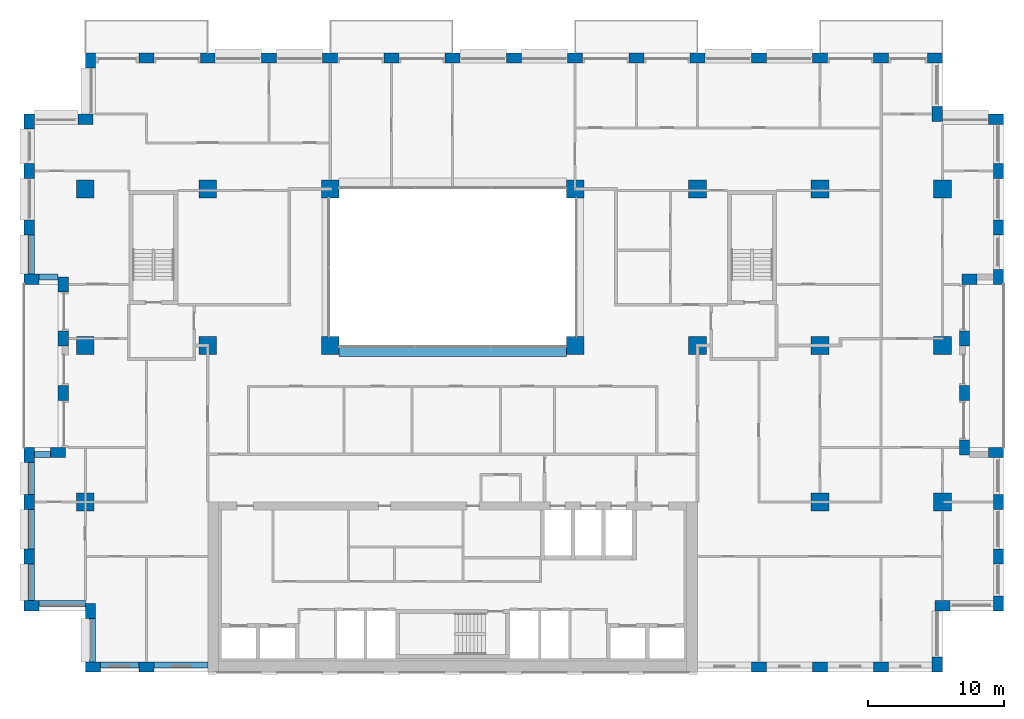
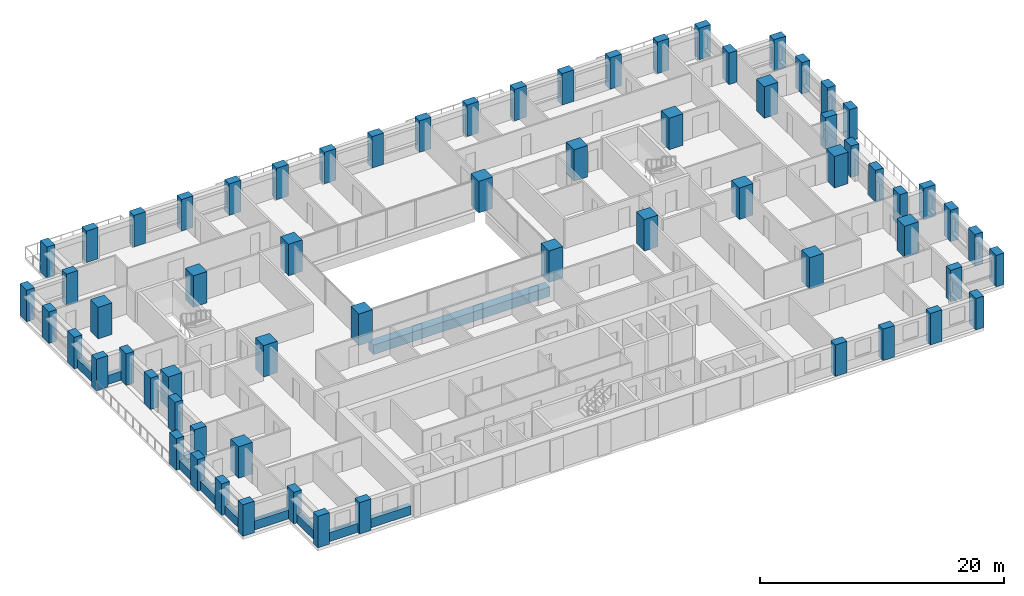
# One storey, part 1 of 16: 66 columns, 11 beams.
"""IFC4 building model written with IfcOpenShell, lengths in metres."""

from ifc_helpers import new_model, si_unit, direction, frame, origin, origin_2d, place, context, subcontext, project, spatial, rectangle, extrude, material, material_profile, profile_set, type_object, element, save


model = new_model("IFC4")

# Units and contexts
model_context = context("Model", 3, precision=1e-05, world=origin(), true_north=direction((0.0, 1.0)))
body_context = subcontext(model_context, "Body", "Model", "MODEL_VIEW")
ifc_project = project(units=[si_unit("LENGTHUNIT", "METRE"), si_unit("AREAUNIT", "SQUARE_METRE"), si_unit("VOLUMEUNIT", "CUBIC_METRE"), si_unit("PLANEANGLEUNIT", "RADIAN"), si_unit("MASSUNIT", "GRAM", prefix="KILO")], contexts=[model_context])

# Site, building, storey
site_placement = place(None, origin())
site = spatial("IfcSite", under=ifc_project, at=site_placement, CompositionType="ELEMENT")
building_placement = place(site_placement, origin())
building = spatial("IfcBuilding", under=site, at=building_placement, Name="Brigalow Station Residences", CompositionType="ELEMENT")
storey_placement = place(building_placement, frame((0.0, 0.0, 121.35009765625)))
storey = spatial("IfcBuildingStorey", under=building, at=storey_placement, Name="L35", CompositionType="ELEMENT", Elevation=121.35009765625)

# Columns
ifc_material_1 = material(Name="Concrete C65", Category="concrete")
ifc_material_profile_1 = material_profile(ifc_material_1, rectangle(XDim=1.300048828125, YDim=1.300048828125, at=origin_2d()), Name="RC1300x1300")
ifc_profile_set_1 = profile_set([ifc_material_profile_1], Name="Concrete C65")
column_type_1 = type_object("IfcColumnType", Name="COLUMN 1300x1300 C65", PredefinedType="COLUMN", material=ifc_profile_set_1)
for number, where, z_axis, x_axis, name in (
    (1, (9.0, 24.0, 0.0), (0.0, 0.0, 1.0), (1.0, 0.0, 0.0), "COLUMN C1 L35"),
    (2, (18.0, 24.0, 0.0), (0.0, 0.0, 1.0), (1.0, 0.0, 0.0), "COLUMN C2 L35"),
    (3, (27.0, 24.0, 0.0), (0.0, 0.0, 1.0), (1.0, 0.0, 0.0), "COLUMN C3 L35"),
    (4, (45.0, 24.0, 0.0), (0.0, 0.0, 1.0), (1.0, 0.0, 0.0), "COLUMN C5 L35"),
    (5, (54.0, 24.0, 0.0), (0.0, 0.0, 1.0), (1.0, 0.0, 0.0), "COLUMN C6 L35"),
    (6, (63.0, 24.0, 0.0), (0.0, 0.0, 1.0), (1.0, 0.0, 0.0), "COLUMN C7 L35"),
    (7, (72.0, 24.0, 0.0), (0.0, 0.0, 1.0), (1.0, 0.0, 0.0), "COLUMN C8 L35"),
    (8, (9.0, 35.5, 0.0), (0.0, 0.0, 1.0), (1.0, 0.0, 0.0), "COLUMN D1 L35"),
    (9, (18.0, 35.5, 0.0), (0.0, 0.0, 1.0), (1.0, 0.0, 0.0), "COLUMN D2 L35"),
    (10, (27.0, 35.5, 0.0), (0.0, 0.0, 1.0), (1.0, 0.0, 0.0), "COLUMN D3 L35"),
    (11, (45.0, 35.5, 0.0), (0.0, 0.0, 1.0), (1.0, 0.0, 0.0), "COLUMN D5 L35"),
    (12, (54.0, 35.5, 0.0), (0.0, 0.0, 1.0), (1.0, 0.0, 0.0), "COLUMN D6 L35"),
    (13, (63.0, 35.5, 0.0), (0.0, 0.0, 1.0), (1.0, 0.0, 0.0), "COLUMN D7 L35"),
    (14, (72.0, 35.5, 0.0), (0.0, 0.0, 1.0), (1.0, 0.0, 0.0), "COLUMN D8 L35"),
    (15, (9.0, 12.5, 0.0), (0.0, 0.0, 1.0), (1.0, 0.0, 0.0), "COLUMN B1 L35"),
    (16, (63.0, 12.5, 0.0), (0.0, 0.0, 1.0), (1.0, 0.0, 0.0), "COLUMN B7 L35"),
    (17, (72.0, 12.5, 0.0), (0.0, 0.0, 1.0), (1.0, 0.0, 0.0), "COLUMN B8 L35"),
):
    element("IfcColumn", number, at=place(storey_placement, frame(where, z_axis=z_axis, x_axis=x_axis)), inside=storey, type_object=column_type_1, Name=name, PredefinedType="COLUMN", context=body_context, shape_type="SweptSolid", body=[
        extrude(rectangle(XDim=1.300048828125, YDim=1.300048828125, at=origin_2d()), origin(), (0.0, 0.0, 1.0), 3.14990234375),
    ])
ifc_material_2 = material(Name="Concrete C65", Category="concrete")
ifc_material_profile_2 = material_profile(ifc_material_2, rectangle(XDim=1.10009765625, YDim=0.75, at=origin_2d()), Name="RC1100x750")
ifc_profile_set_2 = profile_set([ifc_material_profile_2], Name="Concrete C65")
column_type_2 = type_object("IfcColumnType", Name="PIER 1100x750 C65", PredefinedType="USERDEFINED", material=ifc_profile_set_2)
for number, where, z_axis, x_axis, name in (
    (18, (9.550048828125, 0.375, 0.0), (0.0, 0.0, 1.0), (1.0, 0.0, 0.0), "PIER S-1 L35"),
    (19, (13.5, 0.375, 0.0), (0.0, 0.0, 1.0), (1.0, 0.0, 0.0), "PIER S-2 L35"),
    (20, (58.5, 0.375, 0.0), (0.0, 0.0, 1.0), (1.0, 0.0, 0.0), "PIER S-12 L35"),
    (21, (63.0, 0.375, 0.0), (0.0, 0.0, 1.0), (1.0, 0.0, 0.0), "PIER S-13 L35"),
    (22, (67.5, 0.375, 0.0), (0.0, 0.0, 1.0), (1.0, 0.0, 0.0), "PIER S-14 L35"),
    (23, (71.625, 0.550048828125, 0.0), (0.0, 0.0, 1.0), (0.0, 1.0, 0.0), "PIER SE1-1 L35"),
    (24, (72.0, 4.875, 0.0), (0.0, 0.0, 1.0), (1.0, 0.0, 0.0), "PIER SE2-1 L35"),
    (25, (76.125, 5.050048828125, 0.0), (0.0, 0.0, 1.0), (0.0, 1.0, 0.0), "PIER E1-1 L35"),
    (26, (76.125, 8.5, 0.0), (0.0, 0.0, 1.0), (0.0, 1.0, 0.0), "PIER E1-2 L35"),
    (27, (76.125, 12.5, 0.0), (0.0, 0.0, 1.0), (0.0, 1.0, 0.0), "PIER E1-3 L35"),
    (28, (75.949951171875, 16.125, 0.0), (0.0, 0.0, 1.0), (-1.0, 0.0, 0.0), "PIER EL1-1 L35"),
    (29, (73.625, 16.5, 0.0), (0.0, 0.0, 1.0), (0.0, 1.0, 0.0), "PIER EL2-1 L35"),
    (30, (73.625, 20.5, 0.0), (0.0, 0.0, 1.0), (0.0, 1.0, 0.0), "PIER EL2-2 L35"),
    (31, (73.625, 24.5, 0.0), (0.0, 0.0, 1.0), (0.0, 1.0, 0.0), "PIER EL2-3 L35"),
    (32, (74.0, 28.875, 0.0), (0.0, 0.0, 1.0), (1.0, 0.0, 0.0), "PIER EL3-1 L35"),
    (33, (76.125, 29.050048828125, 0.0), (0.0, 0.0, 1.0), (0.0, 1.0, 0.0), "PIER E2-1 L35"),
    (34, (76.125, 32.6669921875, 0.0), (0.0, 0.0, 1.0), (0.0, 1.0, 0.0), "PIER E2-2 L35"),
    (35, (76.125, 36.8330078125, 0.0), (0.0, 0.0, 1.0), (0.0, 1.0, 0.0), "PIER E2-3 L35"),
    (36, (75.949951171875, 40.625, 0.0), (0.0, 0.0, 1.0), (-1.0, 0.0, 0.0), "PIER NE1-1 L35"),
    (37, (71.625, 41.0, 0.0), (0.0, 0.0, 1.0), (0.0, 1.0, 0.0), "PIER NE2-1 L35"),
    (38, (71.449951171875, 45.125, 0.0), (0.0, 0.0, 1.0), (-1.0, 0.0, 0.0), "PIER N-1 L35"),
    (39, (67.5, 45.125, 0.0), (0.0, 0.0, 1.0), (-1.0, 0.0, 0.0), "PIER N-2 L35"),
    (40, (63.0, 45.125, 0.0), (0.0, 0.0, 1.0), (-1.0, 0.0, 0.0), "PIER N-3 L35"),
    (41, (58.5, 45.125, 0.0), (0.0, 0.0, 1.0), (-1.0, 0.0, 0.0), "PIER N-4 L35"),
    (42, (54.0, 45.125, 0.0), (0.0, 0.0, 1.0), (-1.0, 0.0, 0.0), "PIER N-5 L35"),
    (43, (49.5, 45.125, 0.0), (0.0, 0.0, 1.0), (-1.0, 0.0, 0.0), "PIER N-6 L35"),
    (44, (45.0, 45.125, 0.0), (0.0, 0.0, 1.0), (-1.0, 0.0, 0.0), "PIER N-7 L35"),
    (45, (40.5, 45.125, 0.0), (0.0, 0.0, 1.0), (-1.0, 0.0, 0.0), "PIER N-8 L35"),
    (46, (36.0, 45.125, 0.0), (0.0, 0.0, 1.0), (-1.0, 0.0, 0.0), "PIER N-9 L35"),
    (47, (31.5, 45.125, 0.0), (0.0, 0.0, 1.0), (-1.0, 0.0, 0.0), "PIER N-10 L35"),
    (48, (27.0, 45.125, 0.0), (0.0, 0.0, 1.0), (-1.0, 0.0, 0.0), "PIER N-11 L35"),
    (49, (22.5, 45.125, 0.0), (0.0, 0.0, 1.0), (-1.0, 0.0, 0.0), "PIER N-12 L35"),
    (50, (18.0, 45.125, 0.0), (0.0, 0.0, 1.0), (-1.0, 0.0, 0.0), "PIER N-13 L35"),
    (51, (13.5, 45.125, 0.0), (0.0, 0.0, 1.0), (-1.0, 0.0, 0.0), "PIER N-14 L35"),
    (52, (9.375, 44.949951171875, 0.0), (0.0, 0.0, 1.0), (0.0, -1.0, 0.0), "PIER NW1-1 L35"),
    (53, (9.0, 40.625, 0.0), (0.0, 0.0, 1.0), (-1.0, 0.0, 0.0), "PIER NW2-1 L35"),
    (54, (4.875, 40.449951171875, 0.0), (0.0, 0.0, 1.0), (0.0, -1.0, 0.0), "PIER W2-1 L35"),
    (55, (4.875, 36.8330078125, 0.0), (0.0, 0.0, 1.0), (0.0, -1.0, 0.0), "PIER W2-2 L35"),
    (56, (4.875, 32.6669921875, 0.0), (0.0, 0.0, 1.0), (0.0, -1.0, 0.0), "PIER W2-3 L35"),
    (57, (5.050048828125, 28.875, 0.0), (0.0, 0.0, 1.0), (1.0, 0.0, 0.0), "PIER WL1-1 L35"),
    (58, (7.375, 28.5, 0.0), (0.0, 0.0, 1.0), (0.0, -1.0, 0.0), "PIER WL2-1 L35"),
    (59, (7.375, 24.5, 0.0), (0.0, 0.0, 1.0), (0.0, -1.0, 0.0), "PIER WL2-2 L35"),
    (60, (7.375, 20.5, 0.0), (0.0, 0.0, 1.0), (0.0, -1.0, 0.0), "PIER WL2-3 L35"),
    (61, (7.0, 16.125, 0.0), (0.0, 0.0, 1.0), (-1.0, 0.0, 0.0), "PIER WL3-1 L35"),
    (62, (4.875, 15.949951171875, 0.0), (0.0, 0.0, 1.0), (0.0, -1.0, 0.0), "PIER W1-1 L35"),
    (63, (4.875, 12.5, 0.0), (0.0, 0.0, 1.0), (0.0, -1.0, 0.0), "PIER W1-2 L35"),
    (64, (4.875, 8.5, 0.0), (0.0, 0.0, 1.0), (0.0, -1.0, 0.0), "PIER W1-3 L35"),
    (65, (5.050048828125, 4.875, 0.0), (0.0, 0.0, 1.0), (1.0, 0.0, 0.0), "PIER SW1-1 L35"),
    (66, (9.375, 4.5, 0.0), (0.0, 0.0, 1.0), (0.0, -1.0, 0.0), "PIER SW2-1 L35"),
):
    element("IfcColumn", number, at=place(storey_placement, frame(where, z_axis=z_axis, x_axis=x_axis)), inside=storey, type_object=column_type_2, Name=name, ObjectType="PIER", PredefinedType="USERDEFINED", context=body_context, shape_type="SweptSolid", body=[
        extrude(rectangle(XDim=1.10009765625, YDim=0.75, at=origin_2d()), origin(), (0.0, 0.0, 1.0), 3.14990234375),
    ])

# Beams
ifc_material_3 = material(Name="Concrete C65", Category="concrete")
ifc_material_profile_3 = material_profile(ifc_material_3, rectangle(XDim=0.800048828125, YDim=0.949951171875, at=origin_2d()), Name="RC800x950")
ifc_profile_set_3 = profile_set([ifc_material_profile_3], Name="Concrete C65")
beam_type_1 = type_object("IfcBeamType", Name="ATRIUM EDGE GIRDER OVER 13.5 M SPAN 800x950 C65", PredefinedType="BEAM", material=ifc_profile_set_3)
beam_1_placement = place(storey_placement, frame((27.64990234375, 23.60009765625, -0.795166015625), z_axis=(1.0, 0.0, 0.0), x_axis=(0.0, 1.0, 0.0)))
element("IfcBeam", 67, at=beam_1_placement, inside=storey, type_object=beam_type_1, Name="ATRIUM EDGE GIRDER C L35", PredefinedType="BEAM", context=body_context, shape_type="SweptSolid", body=[
    extrude(rectangle(XDim=0.800048828125, YDim=0.949951171875, at=origin_2d()), origin(), (0.0, 0.0, 1.0), 16.7001953125),
])
ifc_material_4 = material(Name="Concrete C65", Category="concrete")
ifc_material_profile_4 = material_profile(ifc_material_4, rectangle(XDim=0.449951171875, YDim=0.89990234375, at=origin_2d()), Name="RC450x900")
ifc_profile_set_4 = profile_set([ifc_material_profile_4], Name="Concrete C65")
beam_type_2 = type_object("IfcBeamType", Name="SPANDREL BEAM 450x900 C65", PredefinedType="SPANDREL", material=ifc_profile_set_4)
beam_2_placement = place(storey_placement, frame((10.10009765625, 0.52490234375, 0.449951171875), z_axis=(1.0, 0.0, 0.0), x_axis=(0.0, 1.0, 0.0)))
element("IfcBeam", 68, at=beam_2_placement, inside=storey, type_object=beam_type_2, Name="L35/spandrel/W-L35-1", PredefinedType="SPANDREL", context=body_context, shape_type="SweptSolid", body=[
    extrude(rectangle(XDim=0.449951171875, YDim=0.89990234375, at=origin_2d()), origin(), (0.0, 0.0, 1.0), 2.849853515625),
])
beam_3_placement = place(storey_placement, frame((14.050048828125, 0.52490234375, 0.449951171875), z_axis=(1.0, 0.0, 0.0), x_axis=(0.0, 1.0, 0.0)))
element("IfcBeam", 69, at=beam_3_placement, inside=storey, type_object=beam_type_2, Name="L35/spandrel/W-L35-2", PredefinedType="SPANDREL", context=body_context, shape_type="SweptSolid", body=[
    extrude(rectangle(XDim=0.449951171875, YDim=0.89990234375, at=origin_2d()), origin(), (0.0, 0.0, 1.0), 3.949951171875),
])
beam_4_placement = place(storey_placement, frame((5.02490234375, 32.116943359375, 0.449951171875), z_axis=(0.0, -1.0, 0.0), x_axis=(1.0, 0.0, 0.0)))
element("IfcBeam", 70, at=beam_4_placement, inside=storey, type_object=beam_type_2, Name="L35/spandrel/W-L35-41", PredefinedType="SPANDREL", context=body_context, shape_type="SweptSolid", body=[
    extrude(rectangle(XDim=0.449951171875, YDim=0.89990234375, at=origin_2d()), origin(), (0.0, 0.0, 1.0), 2.866943359375),
])
beam_5_placement = place(storey_placement, frame((5.60009765625, 29.02490234375, 0.449951171875), z_axis=(1.0, 0.0, 0.0), x_axis=(0.0, 1.0, 0.0)))
element("IfcBeam", 71, at=beam_5_placement, inside=storey, type_object=beam_type_2, Name="L35/spandrel/W-L35-42", PredefinedType="SPANDREL", context=body_context, shape_type="SweptSolid", body=[
    extrude(rectangle(XDim=0.449951171875, YDim=0.89990234375, at=origin_2d()), origin(), (0.0, 0.0, 1.0), 1.39990234375),
])
beam_6_placement = place(storey_placement, frame((6.449951171875, 15.97509765625, 0.449951171875), z_axis=(-1.0, 0.0, 0.0), x_axis=(0.0, -1.0, 0.0)))
element("IfcBeam", 72, at=beam_6_placement, inside=storey, type_object=beam_type_2, Name="L35/spandrel/W-L35-46", PredefinedType="SPANDREL", context=body_context, shape_type="SweptSolid", body=[
    extrude(rectangle(XDim=0.449951171875, YDim=0.89990234375, at=origin_2d()), origin(), (0.0, 0.0, 1.0), 1.199951171875),
])
beam_7_placement = place(storey_placement, frame((5.02490234375, 15.39990234375, 0.449951171875), z_axis=(0.0, -1.0, 0.0), x_axis=(1.0, 0.0, 0.0)))
element("IfcBeam", 73, at=beam_7_placement, inside=storey, type_object=beam_type_2, Name="L35/spandrel/W-L35-47", PredefinedType="SPANDREL", context=body_context, shape_type="SweptSolid", body=[
    extrude(rectangle(XDim=0.449951171875, YDim=0.89990234375, at=origin_2d()), origin(), (0.0, 0.0, 1.0), 2.349853515625),
])
beam_8_placement = place(storey_placement, frame((5.02490234375, 11.949951171875, 0.449951171875), z_axis=(0.0, -1.0, 0.0), x_axis=(1.0, 0.0, 0.0)))
element("IfcBeam", 74, at=beam_8_placement, inside=storey, type_object=beam_type_2, Name="L35/spandrel/W-L35-48", PredefinedType="SPANDREL", context=body_context, shape_type="SweptSolid", body=[
    extrude(rectangle(XDim=0.449951171875, YDim=0.89990234375, at=origin_2d()), origin(), (0.0, 0.0, 1.0), 2.89990234375),
])
beam_9_placement = place(storey_placement, frame((5.02490234375, 7.949951171875, 0.449951171875), z_axis=(0.0, -1.0, 0.0), x_axis=(1.0, 0.0, 0.0)))
element("IfcBeam", 75, at=beam_9_placement, inside=storey, type_object=beam_type_2, Name="L35/spandrel/W-L35-49", PredefinedType="SPANDREL", context=body_context, shape_type="SweptSolid", body=[
    extrude(rectangle(XDim=0.449951171875, YDim=0.89990234375, at=origin_2d()), origin(), (0.0, 0.0, 1.0), 2.699951171875),
])
beam_10_placement = place(storey_placement, frame((5.60009765625, 5.02490234375, 0.449951171875), z_axis=(1.0, 0.0, 0.0), x_axis=(0.0, 1.0, 0.0)))
element("IfcBeam", 76, at=beam_10_placement, inside=storey, type_object=beam_type_2, Name="L35/spandrel/W-L35-50", PredefinedType="SPANDREL", context=body_context, shape_type="SweptSolid", body=[
    extrude(rectangle(XDim=0.449951171875, YDim=0.89990234375, at=origin_2d()), origin(), (0.0, 0.0, 1.0), 3.39990234375),
])
beam_11_placement = place(storey_placement, frame((9.52490234375, 3.949951171875, 0.449951171875), z_axis=(0.0, -1.0, 0.0), x_axis=(1.0, 0.0, 0.0)))
element("IfcBeam", 77, at=beam_11_placement, inside=storey, type_object=beam_type_2, Name="L35/spandrel/W-L35-51", PredefinedType="SPANDREL", context=body_context, shape_type="SweptSolid", body=[
    extrude(rectangle(XDim=0.449951171875, YDim=0.89990234375, at=origin_2d()), origin(), (0.0, 0.0, 1.0), 3.199951171875),
])

save(model, "model.ifc")
